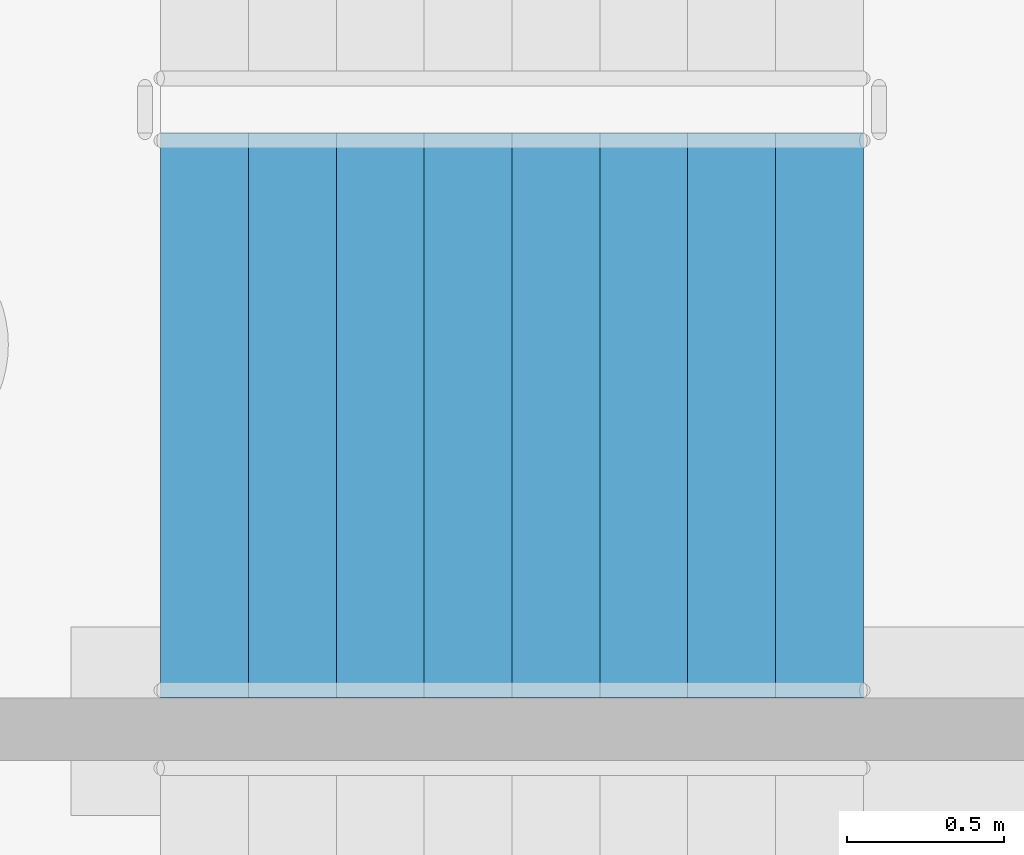
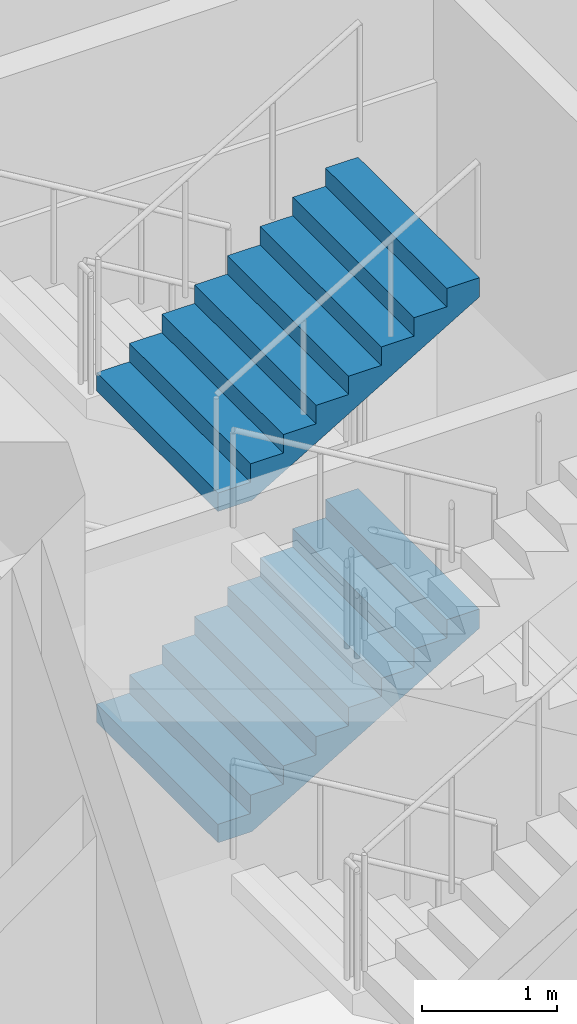
# One storey, part 17 of 39: 2 stair flights, 1 element without a shape of its own.
"""IFC4 building model written with IfcOpenShell, lengths in metres."""

from ifc_helpers import new_model, si_unit, direction, frame, origin, place, context, subcontext, project, spatial, triangles, material, type_object, element, aggregate, save


model = new_model("IFC4")

# Units and contexts
model_context = context("Model", 3, precision=1e-05, world=origin(), true_north=direction((0.0, 1.0)))
body_context = subcontext(model_context, "Body", "Model", "MODEL_VIEW")
ifc_project = project(units=[si_unit("LENGTHUNIT", "METRE"), si_unit("AREAUNIT", "SQUARE_METRE"), si_unit("VOLUMEUNIT", "CUBIC_METRE"), si_unit("PLANEANGLEUNIT", "RADIAN"), si_unit("MASSUNIT", "GRAM", prefix="KILO")], contexts=[model_context])

# Site, building, storey
site_placement = place(None, origin())
site = spatial("IfcSite", under=ifc_project, at=site_placement, CompositionType="ELEMENT")
building_placement = place(site_placement, origin())
building = spatial("IfcBuilding", under=site, at=building_placement, Name="Magnolia Steps Interchange", CompositionType="ELEMENT")
storey_placement = place(building_placement, frame((0.0, 0.0, -11.39990234375)))
storey = spatial("IfcBuildingStorey", under=building, at=storey_placement, Name="B2", CompositionType="ELEMENT", Elevation=-11.39990234375)

# Stair, stair flights
ifc_material_1 = material(Name="Concrete C40", Category="concrete")
stair_type = type_object("IfcStairType", Name="Exit stair 1800", PredefinedType="HALF_TURN_STAIR", material=ifc_material_1)
stair_placement = place(storey_placement, origin())
stair = element("IfcStair", 1, at=stair_placement, inside=storey, type_object=stair_type, Name="B2 Stair 10", PredefinedType="HALF_TURN_STAIR")
ifc_material_2 = material(Name="Concrete C40", Category="concrete")
stair_flight_type = type_object("IfcStairFlightType", Name="Exit stair flight", PredefinedType="STRAIGHT", material=ifc_material_2)
stair_flight_1_placement = place(storey_placement, frame((55.284912109375, 64.97509765625, 1.5), z_axis=(0.0, 0.0, 1.0), x_axis=(1.0, 0.0, 0.0)))
stair_flight_1 = element("IfcStairFlight", 2, at=stair_flight_1_placement, type_object=stair_flight_type, Name="Stair 10 flight 2", NumberOfRisers=9, NumberOfTreads=8, PredefinedType="STRAIGHT", RiserHeight=0.166666667, TreadLength=0.28, context=body_context, shape_type="Tessellation", body=[
    triangles([(0.0, -0.9000244140625, 0.0), (0.29296875, -0.9000244140625, 0.0), (2.239990234375, -0.9000244140625, 1.158935546875), (2.239990234375, -0.9000244140625, 1.333251953125), (1.9599609375, -0.9000244140625, 1.333251953125), (1.9599609375, -0.9000244140625, 1.166748046875), (1.679931640625, -0.9000244140625, 1.166748046875), (1.679931640625, -0.9000244140625, 1.0), (1.39990234375, -0.9000244140625, 1.0), (1.39990234375, -0.9000244140625, 0.833251953125), (1.1201171875, -0.9000244140625, 0.833251953125), (1.1201171875, -0.9000244140625, 0.666748046875), (0.840087890625, -0.9000244140625, 0.666748046875), (0.840087890625, -0.9000244140625, 0.5), (0.56005859375, -0.9000244140625, 0.5), (0.56005859375, -0.9000244140625, 0.333251953125), (0.280029296875, -0.9000244140625, 0.333251953125), (0.280029296875, -0.9000244140625, 0.166748046875), (0.0, -0.9000244140625, 0.166748046875), (0.0, 0.9000244140625, 0.0), (0.29296875, 0.9000244140625, 0.0), (2.239990234375, 0.9000244140625, 1.158935546875), (2.239990234375, 0.9000244140625, 1.333251953125), (1.9599609375, 0.9000244140625, 1.333251953125), (1.9599609375, 0.9000244140625, 1.166748046875), (1.679931640625, 0.9000244140625, 1.166748046875), (1.679931640625, 0.9000244140625, 1.0), (1.39990234375, 0.9000244140625, 1.0), (1.39990234375, 0.9000244140625, 0.833251953125), (1.1201171875, 0.9000244140625, 0.833251953125), (1.1201171875, 0.9000244140625, 0.666748046875), (0.840087890625, 0.9000244140625, 0.666748046875), (0.840087890625, 0.9000244140625, 0.5), (0.56005859375, 0.9000244140625, 0.5), (0.56005859375, 0.9000244140625, 0.333251953125), (0.280029296875, 0.9000244140625, 0.333251953125), (0.280029296875, 0.9000244140625, 0.166748046875), (0.0, 0.9000244140625, 0.166748046875), (0.0, 0.0, 0.0), (0.0, 0.0, 0.04168701171875), (0.0, 0.0, 0.0833740234375), (0.0, 0.0, 0.12506103515625), (0.0, 0.0, 0.166748046875), (0.0, -0.05, 0.0), (0.0, -0.05, 0.166748046875), (0.0, 0.05, 0.0), (0.0, 0.05, 0.166748046875), (0.046671549479166664, 0.0, 0.166748046875), (0.09334309895833333, 0.0, 0.166748046875), (0.1400146484375, 0.0, 0.166748046875), (0.18668619791666666, 0.0, 0.166748046875), (0.23335774739583334, 0.0, 0.166748046875), (0.280029296875, 0.0, 0.166748046875), (0.280029296875, -0.05, 0.166748046875), (0.280029296875, 0.05, 0.166748046875), (0.280029296875, 0.0, 0.2083740234375), (0.280029296875, 0.0, 0.25), (0.280029296875, 0.0, 0.2916259765625), (0.280029296875, 0.0, 0.333251953125), (0.280029296875, -0.05, 0.333251953125), (0.280029296875, 0.05, 0.333251953125), (0.3267008463541667, 0.0, 0.333251953125), (0.3733723958333333, 0.0, 0.333251953125), (0.4200439453125, 0.0, 0.333251953125), (0.46671549479166663, 0.0, 0.333251953125), (0.5133870442708334, 0.0, 0.333251953125), (0.56005859375, 0.0, 0.333251953125), (0.56005859375, -0.05, 0.333251953125), (0.56005859375, 0.05, 0.333251953125), (0.56005859375, 0.0, 0.37493896484375), (0.56005859375, 0.0, 0.4166259765625), (0.56005859375, 0.0, 0.45831298828125), (0.56005859375, 0.0, 0.5), (0.56005859375, -0.05, 0.5), (0.56005859375, 0.05, 0.5), (0.6067301432291666, 0.0, 0.5), (0.6534016927083334, 0.0, 0.5), (0.7000732421875, 0.0, 0.5), (0.7467447916666666, 0.0, 0.5), (0.7934163411458334, 0.0, 0.5), (0.840087890625, 0.0, 0.5), (0.840087890625, -0.05, 0.5), (0.840087890625, 0.05, 0.5), (0.840087890625, 0.0, 0.54168701171875), (0.840087890625, 0.0, 0.5833740234375), (0.840087890625, 0.0, 0.62506103515625), (0.840087890625, 0.0, 0.666748046875), (0.840087890625, -0.05, 0.666748046875), (0.840087890625, 0.05, 0.666748046875), (0.8867594401041666, 0.0, 0.666748046875), (0.9334309895833334, 0.0, 0.666748046875), (0.9801025390625, 0.0, 0.666748046875), (1.0267740885416667, 0.0, 0.666748046875), (1.0734456380208333, 0.0, 0.666748046875), (1.1201171875, 0.0, 0.666748046875), (1.1201171875, -0.05, 0.666748046875), (1.1201171875, 0.05, 0.666748046875), (1.1201171875, 0.0, 0.7083740234375), (1.1201171875, 0.0, 0.75), (1.1201171875, 0.0, 0.7916259765625), (1.1201171875, 0.0, 0.833251953125), (1.1201171875, -0.05, 0.833251953125), (1.1201171875, 0.05, 0.833251953125), (1.1900634765625, 0.0, 0.833251953125), (1.260009765625, 0.0, 0.833251953125), (1.3299560546875, 0.0, 0.833251953125), (1.39990234375, 0.0, 0.833251953125), (1.39990234375, -0.05, 0.833251953125), (1.39990234375, 0.05, 0.833251953125), (1.39990234375, 0.0, 0.87493896484375), (1.39990234375, 0.0, 0.9166259765625), (1.39990234375, 0.0, 0.95831298828125), (1.39990234375, 0.0, 1.0), (1.39990234375, -0.05, 1.0), (1.39990234375, 0.05, 1.0), (1.4465738932291667, 0.0, 1.0), (1.4932454427083333, 0.0, 1.0), (1.5399169921875, 0.0, 1.0), (1.5865885416666667, 0.0, 1.0), (1.6332600911458333, 0.0, 1.0), (1.679931640625, 0.0, 1.0), (1.679931640625, -0.05, 1.0), (1.679931640625, 0.05, 1.0), (1.679931640625, 0.0, 1.04168701171875), (1.679931640625, 0.0, 1.0833740234375), (1.679931640625, 0.0, 1.12506103515625), (1.679931640625, 0.0, 1.166748046875), (1.679931640625, -0.05, 1.166748046875), (1.679931640625, 0.05, 1.166748046875), (1.7266031901041667, 0.0, 1.166748046875), (1.7732747395833333, 0.0, 1.166748046875), (1.8199462890625, 0.0, 1.166748046875), (1.8666178385416667, 0.0, 1.166748046875), (1.9132893880208333, 0.0, 1.166748046875), (1.9599609375, 0.0, 1.166748046875), (1.9599609375, -0.05, 1.166748046875), (1.9599609375, 0.05, 1.166748046875), (1.9599609375, 0.0, 1.2083740234375), (1.9599609375, 0.0, 1.25), (1.9599609375, 0.0, 1.2916259765625), (1.9599609375, 0.0, 1.333251953125), (1.9599609375, -0.05, 1.333251953125), (1.9599609375, 0.05, 1.333251953125), (2.0066324869791665, 0.0, 1.333251953125), (2.0533040364583335, 0.0, 1.333251953125), (2.0999755859375, 0.0, 1.333251953125), (2.1466471354166665, 0.0, 1.333251953125), (2.1933186848958335, 0.0, 1.333251953125), (2.239990234375, 0.0, 1.333251953125), (2.239990234375, -0.05, 1.333251953125), (2.239990234375, 0.05, 1.333251953125), (2.239990234375, 0.0, 1.2896728515625), (2.239990234375, 0.0, 1.24609375), (2.239990234375, 0.0, 1.2025146484375), (2.239990234375, 0.0, 1.158935546875), (2.239990234375, -0.05, 1.158935546875), (2.239990234375, 0.05, 1.158935546875), (2.1827248965992645, 0.0, 1.1248492072610294), (2.1254595588235294, 0.0, 1.0907628676470589), (2.068194221047794, 0.0, 1.0566765280330883), (2.010928883272059, 0.0, 1.0225901884191178), (1.9536635454963236, 0.0, 0.9885038488051471), (1.8963982077205883, 0.0, 0.9544175091911764), (1.8391328699448528, 0.0, 0.9203311695772058), (1.7818675321691178, 0.0, 0.8862448299632353), (1.7246021943933822, 0.0, 0.8521584903492647), (1.6673368566176472, 0.0, 0.8180721507352942), (1.6100715188419117, 0.0, 0.7839858111213236), (1.5528061810661766, 0.0, 0.7498994715073529), (1.4955408432904411, 0.0, 0.7158131318933824), (1.4382755055147058, 0.0, 0.6817267922794117), (1.3810101677389706, 0.0, 0.6476404526654411), (1.3237448299632353, 0.0, 0.6135541130514706), (1.2664794921875, 0.0, 0.5794677734375), (1.2092141544117647, 0.0, 0.5453814338235294), (1.1519488166360294, 0.0, 0.5112950942095589), (1.0946834788602942, 0.0, 0.4772087545955882), (1.0374181410845589, 0.0, 0.44312241498161764), (0.9801528033088236, 0.0, 0.4090360753676471), (0.9228874655330883, 0.0, 0.3749497357536765), (0.865622127757353, 0.0, 0.34086339613970584), (0.8083567899816178, 0.0, 0.3067770565257353), (0.7510914522058822, 0.0, 0.2726907169117647), (0.693826114430147, 0.0, 0.23860437729779416), (0.6365607766544117, 0.0, 0.20451803768382348), (0.5792954388786764, 0.0, 0.17043169806985292), (0.5220301011029411, 0.0, 0.13634535845588225), (0.46476476332720584, 0.0, 0.10225901884191169), (0.40749942555147056, 0.0, 0.06817267922794112), (0.3502340877757353, 0.0, 0.03408633961397056), (0.29296875, 0.0, 0.0), (0.29296875, -0.05, 0.0), (0.29296875, 0.05, 0.0), (0.244140625, 0.0, 0.0), (0.1953125, 0.0, 0.0), (0.146484375, 0.0, 0.0), (0.09765625, 0.0, 0.0), (0.048828125, 0.0, 0.0)], [[1, 2, 3], [3, 4, 5], [3, 5, 6], [3, 6, 7], [3, 7, 8], [8, 9, 10], [3, 8, 10], [10, 11, 12], [3, 10, 12], [12, 13, 14], [3, 12, 14], [14, 15, 16], [3, 14, 16], [1, 3, 16], [16, 17, 18], [1, 16, 18], [18, 19, 1], [20, 22, 21], [22, 24, 23], [22, 25, 24], [22, 26, 25], [22, 27, 26], [27, 29, 28], [22, 29, 27], [29, 31, 30], [22, 31, 29], [31, 33, 32], [22, 33, 31], [33, 35, 34], [22, 35, 33], [20, 35, 22], [35, 37, 36], [20, 37, 35], [37, 20, 38], [1, 19, 45], [1, 45, 44], [44, 40, 39], [44, 41, 40], [44, 45, 41], [45, 42, 41], [45, 43, 42], [20, 47, 38], [20, 46, 47], [46, 39, 40], [46, 40, 41], [46, 41, 47], [47, 41, 42], [47, 42, 43], [19, 18, 54], [19, 54, 45], [45, 48, 43], [45, 49, 48], [45, 50, 49], [45, 54, 50], [54, 51, 50], [54, 52, 51], [54, 53, 52], [38, 55, 37], [38, 47, 55], [47, 43, 48], [47, 48, 49], [47, 49, 50], [47, 50, 55], [55, 50, 51], [55, 51, 52], [55, 52, 53], [18, 17, 60], [18, 60, 54], [54, 56, 53], [54, 57, 56], [54, 60, 57], [60, 58, 57], [60, 59, 58], [37, 61, 36], [37, 55, 61], [55, 53, 56], [55, 56, 57], [55, 57, 61], [61, 57, 58], [61, 58, 59], [17, 16, 68], [17, 68, 60], [60, 62, 59], [60, 63, 62], [60, 64, 63], [60, 68, 64], [68, 65, 64], [68, 66, 65], [68, 67, 66], [36, 69, 35], [36, 61, 69], [61, 59, 62], [61, 62, 63], [61, 63, 64], [61, 64, 69], [69, 64, 65], [69, 65, 66], [69, 66, 67], [16, 15, 74], [16, 74, 68], [68, 70, 67], [68, 71, 70], [68, 74, 71], [74, 72, 71], [74, 73, 72], [35, 75, 34], [35, 69, 75], [69, 67, 70], [69, 70, 71], [69, 71, 75], [75, 71, 72], [75, 72, 73], [15, 14, 82], [15, 82, 74], [74, 76, 73], [74, 77, 76], [74, 78, 77], [74, 82, 78], [82, 79, 78], [82, 80, 79], [82, 81, 80], [34, 83, 33], [34, 75, 83], [75, 73, 76], [75, 76, 77], [75, 77, 78], [75, 78, 83], [83, 78, 79], [83, 79, 80], [83, 80, 81], [14, 13, 88], [14, 88, 82], [82, 84, 81], [82, 85, 84], [82, 88, 85], [88, 86, 85], [88, 87, 86], [33, 89, 32], [33, 83, 89], [83, 81, 84], [83, 84, 85], [83, 85, 89], [89, 85, 86], [89, 86, 87], [13, 12, 96], [13, 96, 88], [88, 90, 87], [88, 91, 90], [88, 92, 91], [88, 96, 92], [96, 93, 92], [96, 94, 93], [96, 95, 94], [32, 97, 31], [32, 89, 97], [89, 87, 90], [89, 90, 91], [89, 91, 92], [89, 92, 97], [97, 92, 93], [97, 93, 94], [97, 94, 95], [12, 11, 102], [12, 102, 96], [96, 98, 95], [96, 99, 98], [96, 102, 99], [102, 100, 99], [102, 101, 100], [31, 103, 30], [31, 97, 103], [97, 95, 98], [97, 98, 99], [97, 99, 103], [103, 99, 100], [103, 100, 101], [11, 10, 108], [11, 108, 102], [102, 104, 101], [102, 105, 104], [102, 108, 105], [108, 106, 105], [108, 107, 106], [30, 109, 29], [30, 103, 109], [103, 101, 104], [103, 104, 105], [103, 105, 109], [109, 105, 106], [109, 106, 107], [10, 9, 114], [10, 114, 108], [108, 110, 107], [108, 111, 110], [108, 114, 111], [114, 112, 111], [114, 113, 112], [29, 115, 28], [29, 109, 115], [109, 107, 110], [109, 110, 111], [109, 111, 115], [115, 111, 112], [115, 112, 113], [9, 8, 122], [9, 122, 114], [114, 116, 113], [114, 117, 116], [114, 118, 117], [114, 122, 118], [122, 119, 118], [122, 120, 119], [122, 121, 120], [28, 123, 27], [28, 115, 123], [115, 113, 116], [115, 116, 117], [115, 117, 118], [115, 118, 123], [123, 118, 119], [123, 119, 120], [123, 120, 121], [8, 7, 128], [8, 128, 122], [122, 124, 121], [122, 125, 124], [122, 128, 125], [128, 126, 125], [128, 127, 126], [27, 129, 26], [27, 123, 129], [123, 121, 124], [123, 124, 125], [123, 125, 129], [129, 125, 126], [129, 126, 127], [7, 6, 136], [7, 136, 128], [128, 130, 127], [128, 131, 130], [128, 132, 131], [128, 136, 132], [136, 133, 132], [136, 134, 133], [136, 135, 134], [26, 137, 25], [26, 129, 137], [129, 127, 130], [129, 130, 131], [129, 131, 132], [129, 132, 137], [137, 132, 133], [137, 133, 134], [137, 134, 135], [6, 5, 142], [6, 142, 136], [136, 138, 135], [136, 139, 138], [136, 142, 139], [142, 140, 139], [142, 141, 140], [25, 143, 24], [25, 137, 143], [137, 135, 138], [137, 138, 139], [137, 139, 143], [143, 139, 140], [143, 140, 141], [5, 4, 150], [5, 150, 142], [142, 144, 141], [142, 145, 144], [142, 146, 145], [142, 150, 146], [150, 147, 146], [150, 148, 147], [150, 149, 148], [24, 151, 23], [24, 143, 151], [143, 141, 144], [143, 144, 145], [143, 145, 146], [143, 146, 151], [151, 146, 147], [151, 147, 148], [151, 148, 149], [4, 3, 156], [4, 156, 150], [150, 152, 149], [150, 153, 152], [150, 156, 153], [156, 154, 153], [156, 155, 154], [23, 157, 22], [23, 151, 157], [151, 149, 152], [151, 152, 153], [151, 153, 157], [157, 153, 154], [157, 154, 155], [3, 2, 192], [3, 192, 156], [156, 158, 155], [156, 159, 158], [156, 160, 159], [156, 161, 160], [156, 162, 161], [156, 163, 162], [156, 164, 163], [156, 165, 164], [156, 166, 165], [156, 167, 166], [156, 168, 167], [156, 169, 168], [156, 170, 169], [156, 171, 170], [156, 172, 171], [156, 173, 172], [156, 174, 173], [156, 192, 174], [192, 175, 174], [192, 176, 175], [192, 177, 176], [192, 178, 177], [192, 179, 178], [192, 180, 179], [192, 181, 180], [192, 182, 181], [192, 183, 182], [192, 184, 183], [192, 185, 184], [192, 186, 185], [192, 187, 186], [192, 188, 187], [192, 189, 188], [192, 190, 189], [192, 191, 190], [22, 193, 21], [22, 157, 193], [157, 155, 158], [157, 158, 159], [157, 159, 160], [157, 160, 161], [157, 161, 162], [157, 162, 163], [157, 163, 164], [157, 164, 165], [157, 165, 166], [157, 166, 167], [157, 167, 168], [157, 168, 169], [157, 169, 170], [157, 170, 171], [157, 171, 172], [157, 172, 173], [157, 173, 174], [157, 174, 193], [193, 174, 175], [193, 175, 176], [193, 176, 177], [193, 177, 178], [193, 178, 179], [193, 179, 180], [193, 180, 181], [193, 181, 182], [193, 182, 183], [193, 183, 184], [193, 184, 185], [193, 185, 186], [193, 186, 187], [193, 187, 188], [193, 188, 189], [193, 189, 190], [193, 190, 191], [2, 1, 44], [2, 44, 192], [192, 194, 191], [192, 195, 194], [192, 196, 195], [192, 44, 196], [44, 197, 196], [44, 198, 197], [44, 39, 198], [21, 46, 20], [21, 193, 46], [193, 191, 194], [193, 194, 195], [193, 195, 196], [193, 196, 46], [46, 196, 197], [46, 197, 198], [46, 198, 39]], closed=True),
])
stair_flight_2_placement = place(storey_placement, frame((55.284912109375, 64.97509765625, 4.5), z_axis=(0.0, 0.0, 1.0), x_axis=(1.0, 0.0, 0.0)))
stair_flight_2 = element("IfcStairFlight", 3, at=stair_flight_2_placement, type_object=stair_flight_type, Name="Stair 10 flight 4", NumberOfRisers=9, NumberOfTreads=8, PredefinedType="STRAIGHT", RiserHeight=0.166666667, TreadLength=0.28, context=body_context, shape_type="Tessellation", body=[
    triangles([(0.0, -0.9000244140625, 0.0), (0.29296875, -0.9000244140625, 0.0), (2.239990234375, -0.9000244140625, 1.158935546875), (2.239990234375, -0.9000244140625, 1.333251953125), (1.9599609375, -0.9000244140625, 1.333251953125), (1.9599609375, -0.9000244140625, 1.166748046875), (1.679931640625, -0.9000244140625, 1.166748046875), (1.679931640625, -0.9000244140625, 1.0), (1.39990234375, -0.9000244140625, 1.0), (1.39990234375, -0.9000244140625, 0.833251953125), (1.1201171875, -0.9000244140625, 0.833251953125), (1.1201171875, -0.9000244140625, 0.666748046875), (0.840087890625, -0.9000244140625, 0.666748046875), (0.840087890625, -0.9000244140625, 0.5), (0.56005859375, -0.9000244140625, 0.5), (0.56005859375, -0.9000244140625, 0.333251953125), (0.280029296875, -0.9000244140625, 0.333251953125), (0.280029296875, -0.9000244140625, 0.166748046875), (0.0, -0.9000244140625, 0.166748046875), (0.0, 0.9000244140625, 0.0), (0.29296875, 0.9000244140625, 0.0), (2.239990234375, 0.9000244140625, 1.158935546875), (2.239990234375, 0.9000244140625, 1.333251953125), (1.9599609375, 0.9000244140625, 1.333251953125), (1.9599609375, 0.9000244140625, 1.166748046875), (1.679931640625, 0.9000244140625, 1.166748046875), (1.679931640625, 0.9000244140625, 1.0), (1.39990234375, 0.9000244140625, 1.0), (1.39990234375, 0.9000244140625, 0.833251953125), (1.1201171875, 0.9000244140625, 0.833251953125), (1.1201171875, 0.9000244140625, 0.666748046875), (0.840087890625, 0.9000244140625, 0.666748046875), (0.840087890625, 0.9000244140625, 0.5), (0.56005859375, 0.9000244140625, 0.5), (0.56005859375, 0.9000244140625, 0.333251953125), (0.280029296875, 0.9000244140625, 0.333251953125), (0.280029296875, 0.9000244140625, 0.166748046875), (0.0, 0.9000244140625, 0.166748046875), (0.0, 0.0, 0.0), (0.0, 0.0, 0.04168701171875), (0.0, 0.0, 0.0833740234375), (0.0, 0.0, 0.12506103515625), (0.0, 0.0, 0.166748046875), (0.0, -0.05, 0.0), (0.0, -0.05, 0.166748046875), (0.0, 0.05, 0.0), (0.0, 0.05, 0.166748046875), (0.046671549479166664, 0.0, 0.166748046875), (0.09334309895833333, 0.0, 0.166748046875), (0.1400146484375, 0.0, 0.166748046875), (0.18668619791666666, 0.0, 0.166748046875), (0.23335774739583334, 0.0, 0.166748046875), (0.280029296875, 0.0, 0.166748046875), (0.280029296875, -0.05, 0.166748046875), (0.280029296875, 0.05, 0.166748046875), (0.280029296875, 0.0, 0.2083740234375), (0.280029296875, 0.0, 0.25), (0.280029296875, 0.0, 0.2916259765625), (0.280029296875, 0.0, 0.333251953125), (0.280029296875, -0.05, 0.333251953125), (0.280029296875, 0.05, 0.333251953125), (0.3267008463541667, 0.0, 0.333251953125), (0.3733723958333333, 0.0, 0.333251953125), (0.4200439453125, 0.0, 0.333251953125), (0.46671549479166663, 0.0, 0.333251953125), (0.5133870442708334, 0.0, 0.333251953125), (0.56005859375, 0.0, 0.333251953125), (0.56005859375, -0.05, 0.333251953125), (0.56005859375, 0.05, 0.333251953125), (0.56005859375, 0.0, 0.37493896484375), (0.56005859375, 0.0, 0.4166259765625), (0.56005859375, 0.0, 0.45831298828125), (0.56005859375, 0.0, 0.5), (0.56005859375, -0.05, 0.5), (0.56005859375, 0.05, 0.5), (0.6067301432291666, 0.0, 0.5), (0.6534016927083334, 0.0, 0.5), (0.7000732421875, 0.0, 0.5), (0.7467447916666666, 0.0, 0.5), (0.7934163411458334, 0.0, 0.5), (0.840087890625, 0.0, 0.5), (0.840087890625, -0.05, 0.5), (0.840087890625, 0.05, 0.5), (0.840087890625, 0.0, 0.54168701171875), (0.840087890625, 0.0, 0.5833740234375), (0.840087890625, 0.0, 0.62506103515625), (0.840087890625, 0.0, 0.666748046875), (0.840087890625, -0.05, 0.666748046875), (0.840087890625, 0.05, 0.666748046875), (0.8867594401041666, 0.0, 0.666748046875), (0.9334309895833334, 0.0, 0.666748046875), (0.9801025390625, 0.0, 0.666748046875), (1.0267740885416667, 0.0, 0.666748046875), (1.0734456380208333, 0.0, 0.666748046875), (1.1201171875, 0.0, 0.666748046875), (1.1201171875, -0.05, 0.666748046875), (1.1201171875, 0.05, 0.666748046875), (1.1201171875, 0.0, 0.7083740234375), (1.1201171875, 0.0, 0.75), (1.1201171875, 0.0, 0.7916259765625), (1.1201171875, 0.0, 0.833251953125), (1.1201171875, -0.05, 0.833251953125), (1.1201171875, 0.05, 0.833251953125), (1.1900634765625, 0.0, 0.833251953125), (1.260009765625, 0.0, 0.833251953125), (1.3299560546875, 0.0, 0.833251953125), (1.39990234375, 0.0, 0.833251953125), (1.39990234375, -0.05, 0.833251953125), (1.39990234375, 0.05, 0.833251953125), (1.39990234375, 0.0, 0.87493896484375), (1.39990234375, 0.0, 0.9166259765625), (1.39990234375, 0.0, 0.95831298828125), (1.39990234375, 0.0, 1.0), (1.39990234375, -0.05, 1.0), (1.39990234375, 0.05, 1.0), (1.4465738932291667, 0.0, 1.0), (1.4932454427083333, 0.0, 1.0), (1.5399169921875, 0.0, 1.0), (1.5865885416666667, 0.0, 1.0), (1.6332600911458333, 0.0, 1.0), (1.679931640625, 0.0, 1.0), (1.679931640625, -0.05, 1.0), (1.679931640625, 0.05, 1.0), (1.679931640625, 0.0, 1.04168701171875), (1.679931640625, 0.0, 1.0833740234375), (1.679931640625, 0.0, 1.12506103515625), (1.679931640625, 0.0, 1.166748046875), (1.679931640625, -0.05, 1.166748046875), (1.679931640625, 0.05, 1.166748046875), (1.7266031901041667, 0.0, 1.166748046875), (1.7732747395833333, 0.0, 1.166748046875), (1.8199462890625, 0.0, 1.166748046875), (1.8666178385416667, 0.0, 1.166748046875), (1.9132893880208333, 0.0, 1.166748046875), (1.9599609375, 0.0, 1.166748046875), (1.9599609375, -0.05, 1.166748046875), (1.9599609375, 0.05, 1.166748046875), (1.9599609375, 0.0, 1.2083740234375), (1.9599609375, 0.0, 1.25), (1.9599609375, 0.0, 1.2916259765625), (1.9599609375, 0.0, 1.333251953125), (1.9599609375, -0.05, 1.333251953125), (1.9599609375, 0.05, 1.333251953125), (2.0066324869791665, 0.0, 1.333251953125), (2.0533040364583335, 0.0, 1.333251953125), (2.0999755859375, 0.0, 1.333251953125), (2.1466471354166665, 0.0, 1.333251953125), (2.1933186848958335, 0.0, 1.333251953125), (2.239990234375, 0.0, 1.333251953125), (2.239990234375, -0.05, 1.333251953125), (2.239990234375, 0.05, 1.333251953125), (2.239990234375, 0.0, 1.2896728515625), (2.239990234375, 0.0, 1.24609375), (2.239990234375, 0.0, 1.2025146484375), (2.239990234375, 0.0, 1.158935546875), (2.239990234375, -0.05, 1.158935546875), (2.239990234375, 0.05, 1.158935546875), (2.1827248965992645, 0.0, 1.1248492072610294), (2.1254595588235294, 0.0, 1.0907628676470589), (2.068194221047794, 0.0, 1.0566765280330883), (2.010928883272059, 0.0, 1.0225901884191178), (1.9536635454963236, 0.0, 0.9885038488051471), (1.8963982077205883, 0.0, 0.9544175091911764), (1.8391328699448528, 0.0, 0.9203311695772058), (1.7818675321691178, 0.0, 0.8862448299632353), (1.7246021943933822, 0.0, 0.8521584903492647), (1.6673368566176472, 0.0, 0.8180721507352942), (1.6100715188419117, 0.0, 0.7839858111213236), (1.5528061810661766, 0.0, 0.7498994715073529), (1.4955408432904411, 0.0, 0.7158131318933824), (1.4382755055147058, 0.0, 0.6817267922794117), (1.3810101677389706, 0.0, 0.6476404526654411), (1.3237448299632353, 0.0, 0.6135541130514706), (1.2664794921875, 0.0, 0.5794677734375), (1.2092141544117647, 0.0, 0.5453814338235294), (1.1519488166360294, 0.0, 0.5112950942095589), (1.0946834788602942, 0.0, 0.4772087545955882), (1.0374181410845589, 0.0, 0.44312241498161764), (0.9801528033088236, 0.0, 0.4090360753676471), (0.9228874655330883, 0.0, 0.3749497357536765), (0.865622127757353, 0.0, 0.34086339613970584), (0.8083567899816178, 0.0, 0.3067770565257353), (0.7510914522058822, 0.0, 0.2726907169117647), (0.693826114430147, 0.0, 0.23860437729779416), (0.6365607766544117, 0.0, 0.20451803768382348), (0.5792954388786764, 0.0, 0.17043169806985292), (0.5220301011029411, 0.0, 0.13634535845588225), (0.46476476332720584, 0.0, 0.10225901884191169), (0.40749942555147056, 0.0, 0.06817267922794112), (0.3502340877757353, 0.0, 0.03408633961397056), (0.29296875, 0.0, 0.0), (0.29296875, -0.05, 0.0), (0.29296875, 0.05, 0.0), (0.244140625, 0.0, 0.0), (0.1953125, 0.0, 0.0), (0.146484375, 0.0, 0.0), (0.09765625, 0.0, 0.0), (0.048828125, 0.0, 0.0)], [[1, 2, 3], [3, 4, 5], [3, 5, 6], [3, 6, 7], [3, 7, 8], [8, 9, 10], [3, 8, 10], [10, 11, 12], [3, 10, 12], [12, 13, 14], [3, 12, 14], [14, 15, 16], [3, 14, 16], [1, 3, 16], [16, 17, 18], [1, 16, 18], [18, 19, 1], [20, 22, 21], [22, 24, 23], [22, 25, 24], [22, 26, 25], [22, 27, 26], [27, 29, 28], [22, 29, 27], [29, 31, 30], [22, 31, 29], [31, 33, 32], [22, 33, 31], [33, 35, 34], [22, 35, 33], [20, 35, 22], [35, 37, 36], [20, 37, 35], [37, 20, 38], [1, 19, 45], [1, 45, 44], [44, 40, 39], [44, 41, 40], [44, 45, 41], [45, 42, 41], [45, 43, 42], [20, 47, 38], [20, 46, 47], [46, 39, 40], [46, 40, 41], [46, 41, 47], [47, 41, 42], [47, 42, 43], [19, 18, 54], [19, 54, 45], [45, 48, 43], [45, 49, 48], [45, 50, 49], [45, 54, 50], [54, 51, 50], [54, 52, 51], [54, 53, 52], [38, 55, 37], [38, 47, 55], [47, 43, 48], [47, 48, 49], [47, 49, 50], [47, 50, 55], [55, 50, 51], [55, 51, 52], [55, 52, 53], [18, 17, 60], [18, 60, 54], [54, 56, 53], [54, 57, 56], [54, 60, 57], [60, 58, 57], [60, 59, 58], [37, 61, 36], [37, 55, 61], [55, 53, 56], [55, 56, 57], [55, 57, 61], [61, 57, 58], [61, 58, 59], [17, 16, 68], [17, 68, 60], [60, 62, 59], [60, 63, 62], [60, 64, 63], [60, 68, 64], [68, 65, 64], [68, 66, 65], [68, 67, 66], [36, 69, 35], [36, 61, 69], [61, 59, 62], [61, 62, 63], [61, 63, 64], [61, 64, 69], [69, 64, 65], [69, 65, 66], [69, 66, 67], [16, 15, 74], [16, 74, 68], [68, 70, 67], [68, 71, 70], [68, 74, 71], [74, 72, 71], [74, 73, 72], [35, 75, 34], [35, 69, 75], [69, 67, 70], [69, 70, 71], [69, 71, 75], [75, 71, 72], [75, 72, 73], [15, 14, 82], [15, 82, 74], [74, 76, 73], [74, 77, 76], [74, 78, 77], [74, 82, 78], [82, 79, 78], [82, 80, 79], [82, 81, 80], [34, 83, 33], [34, 75, 83], [75, 73, 76], [75, 76, 77], [75, 77, 78], [75, 78, 83], [83, 78, 79], [83, 79, 80], [83, 80, 81], [14, 13, 88], [14, 88, 82], [82, 84, 81], [82, 85, 84], [82, 88, 85], [88, 86, 85], [88, 87, 86], [33, 89, 32], [33, 83, 89], [83, 81, 84], [83, 84, 85], [83, 85, 89], [89, 85, 86], [89, 86, 87], [13, 12, 96], [13, 96, 88], [88, 90, 87], [88, 91, 90], [88, 92, 91], [88, 96, 92], [96, 93, 92], [96, 94, 93], [96, 95, 94], [32, 97, 31], [32, 89, 97], [89, 87, 90], [89, 90, 91], [89, 91, 92], [89, 92, 97], [97, 92, 93], [97, 93, 94], [97, 94, 95], [12, 11, 102], [12, 102, 96], [96, 98, 95], [96, 99, 98], [96, 102, 99], [102, 100, 99], [102, 101, 100], [31, 103, 30], [31, 97, 103], [97, 95, 98], [97, 98, 99], [97, 99, 103], [103, 99, 100], [103, 100, 101], [11, 10, 108], [11, 108, 102], [102, 104, 101], [102, 105, 104], [102, 108, 105], [108, 106, 105], [108, 107, 106], [30, 109, 29], [30, 103, 109], [103, 101, 104], [103, 104, 105], [103, 105, 109], [109, 105, 106], [109, 106, 107], [10, 9, 114], [10, 114, 108], [108, 110, 107], [108, 111, 110], [108, 114, 111], [114, 112, 111], [114, 113, 112], [29, 115, 28], [29, 109, 115], [109, 107, 110], [109, 110, 111], [109, 111, 115], [115, 111, 112], [115, 112, 113], [9, 8, 122], [9, 122, 114], [114, 116, 113], [114, 117, 116], [114, 118, 117], [114, 122, 118], [122, 119, 118], [122, 120, 119], [122, 121, 120], [28, 123, 27], [28, 115, 123], [115, 113, 116], [115, 116, 117], [115, 117, 118], [115, 118, 123], [123, 118, 119], [123, 119, 120], [123, 120, 121], [8, 7, 128], [8, 128, 122], [122, 124, 121], [122, 125, 124], [122, 128, 125], [128, 126, 125], [128, 127, 126], [27, 129, 26], [27, 123, 129], [123, 121, 124], [123, 124, 125], [123, 125, 129], [129, 125, 126], [129, 126, 127], [7, 6, 136], [7, 136, 128], [128, 130, 127], [128, 131, 130], [128, 132, 131], [128, 136, 132], [136, 133, 132], [136, 134, 133], [136, 135, 134], [26, 137, 25], [26, 129, 137], [129, 127, 130], [129, 130, 131], [129, 131, 132], [129, 132, 137], [137, 132, 133], [137, 133, 134], [137, 134, 135], [6, 5, 142], [6, 142, 136], [136, 138, 135], [136, 139, 138], [136, 142, 139], [142, 140, 139], [142, 141, 140], [25, 143, 24], [25, 137, 143], [137, 135, 138], [137, 138, 139], [137, 139, 143], [143, 139, 140], [143, 140, 141], [5, 4, 150], [5, 150, 142], [142, 144, 141], [142, 145, 144], [142, 146, 145], [142, 150, 146], [150, 147, 146], [150, 148, 147], [150, 149, 148], [24, 151, 23], [24, 143, 151], [143, 141, 144], [143, 144, 145], [143, 145, 146], [143, 146, 151], [151, 146, 147], [151, 147, 148], [151, 148, 149], [4, 3, 156], [4, 156, 150], [150, 152, 149], [150, 153, 152], [150, 156, 153], [156, 154, 153], [156, 155, 154], [23, 157, 22], [23, 151, 157], [151, 149, 152], [151, 152, 153], [151, 153, 157], [157, 153, 154], [157, 154, 155], [3, 2, 192], [3, 192, 156], [156, 158, 155], [156, 159, 158], [156, 160, 159], [156, 161, 160], [156, 162, 161], [156, 163, 162], [156, 164, 163], [156, 165, 164], [156, 166, 165], [156, 167, 166], [156, 168, 167], [156, 169, 168], [156, 170, 169], [156, 171, 170], [156, 172, 171], [156, 173, 172], [156, 174, 173], [156, 192, 174], [192, 175, 174], [192, 176, 175], [192, 177, 176], [192, 178, 177], [192, 179, 178], [192, 180, 179], [192, 181, 180], [192, 182, 181], [192, 183, 182], [192, 184, 183], [192, 185, 184], [192, 186, 185], [192, 187, 186], [192, 188, 187], [192, 189, 188], [192, 190, 189], [192, 191, 190], [22, 193, 21], [22, 157, 193], [157, 155, 158], [157, 158, 159], [157, 159, 160], [157, 160, 161], [157, 161, 162], [157, 162, 163], [157, 163, 164], [157, 164, 165], [157, 165, 166], [157, 166, 167], [157, 167, 168], [157, 168, 169], [157, 169, 170], [157, 170, 171], [157, 171, 172], [157, 172, 173], [157, 173, 174], [157, 174, 193], [193, 174, 175], [193, 175, 176], [193, 176, 177], [193, 177, 178], [193, 178, 179], [193, 179, 180], [193, 180, 181], [193, 181, 182], [193, 182, 183], [193, 183, 184], [193, 184, 185], [193, 185, 186], [193, 186, 187], [193, 187, 188], [193, 188, 189], [193, 189, 190], [193, 190, 191], [2, 1, 44], [2, 44, 192], [192, 194, 191], [192, 195, 194], [192, 196, 195], [192, 44, 196], [44, 197, 196], [44, 198, 197], [44, 39, 198], [21, 46, 20], [21, 193, 46], [193, 191, 194], [193, 194, 195], [193, 195, 196], [193, 196, 46], [46, 196, 197], [46, 197, 198], [46, 198, 39]], closed=True),
])
aggregate(stair, [stair_flight_1, stair_flight_2])

save(model, "model.ifc")
